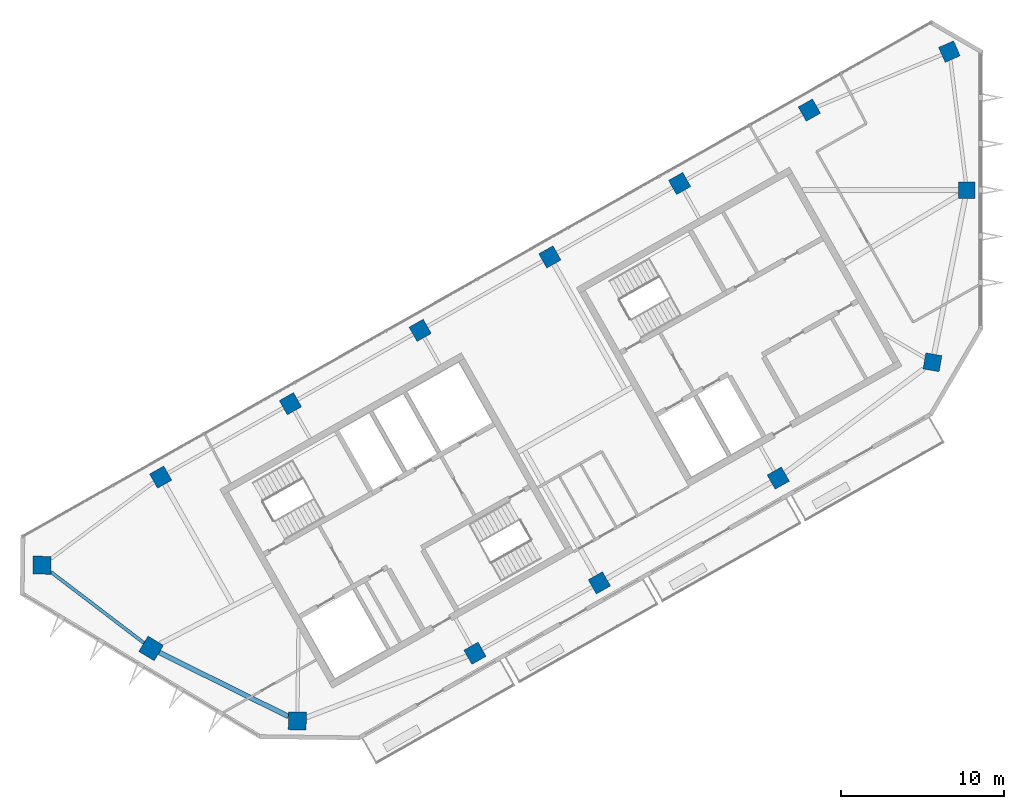
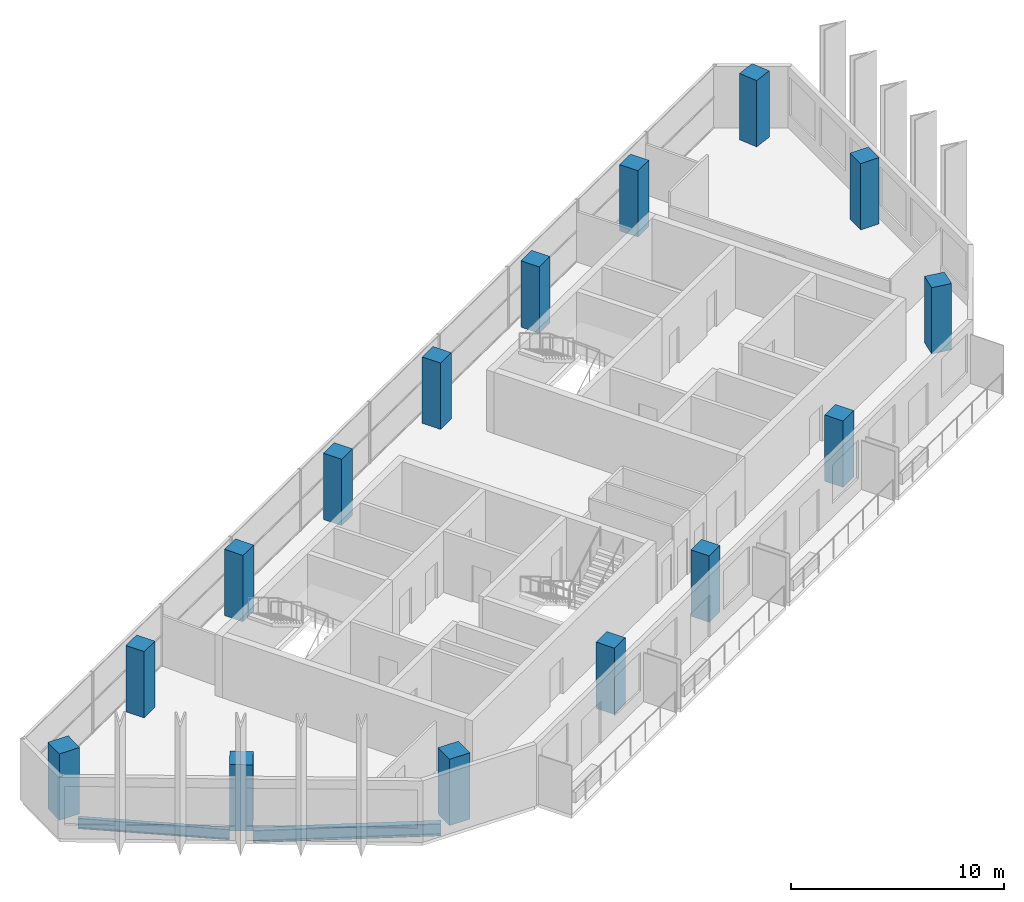
# One storey, part 1 of 10: 15 columns, 2 beams.
"""IFC4 building model written with IfcOpenShell, lengths in metres."""

from ifc_helpers import new_model, si_unit, direction, frame, origin, origin_2d, place, context, subcontext, project, spatial, rectangle, i_section, extrude, material, material_profile, profile_set, type_object, element, save


model = new_model("IFC4")

# Units and contexts
model_context = context("Model", 3, precision=1e-05, world=origin(), true_north=direction((0.0, 1.0)))
body_context = subcontext(model_context, "Body", "Model", "MODEL_VIEW")
ifc_project = project(units=[si_unit("LENGTHUNIT", "METRE"), si_unit("AREAUNIT", "SQUARE_METRE"), si_unit("VOLUMEUNIT", "CUBIC_METRE"), si_unit("PLANEANGLEUNIT", "RADIAN"), si_unit("MASSUNIT", "GRAM", prefix="KILO")], contexts=[model_context])

# Site, building, storey
site_placement = place(None, origin())
site = spatial("IfcSite", under=ifc_project, at=site_placement, CompositionType="ELEMENT")
building_placement = place(site_placement, origin())
building = spatial("IfcBuilding", under=site, at=building_placement, Name="Binnacle Exchange Tower", CompositionType="ELEMENT")
storey_placement = place(building_placement, frame((0.0, 0.0, 324.10009765625)))
storey = spatial("IfcBuildingStorey", under=building, at=storey_placement, Name="L73", CompositionType="ELEMENT", Elevation=324.10009765625)

# Columns
ifc_material_1 = material(Name="Concrete C50/60", Category="concrete")
ifc_material_profile_1 = material_profile(ifc_material_1, rectangle(XDim=1.0, YDim=1.0, at=origin_2d()), Name="Mega column 1000x1000 C50/60")
ifc_profile_set_1 = profile_set([ifc_material_profile_1], Name="Concrete C50/60")
column_type_1 = type_object("IfcColumnType", Name="Mega column 1000x1000 C50/60", PredefinedType="COLUMN", material=ifc_profile_set_1)
for number, where, z_axis, x_axis, name in (
    (1, (-10.4951171875, 64.901611328125, 0.0), (0.0, 0.0, 1.0), (-0.87035569594, -0.492423560103, 0.0), "S:COL:MC38:L73"),
    (2, (-18.44140625, 60.406005859375, 0.0), (0.0, 0.0, 1.0), (-0.87035569594, -0.492423560103, 0.0), "S:COL:MC29:L73"),
    (3, (-26.3876953125, 55.91015625, 0.0), (0.0, 0.0, 1.0), (-0.87035569594, -0.492423560103, 0.0), "S:COL:MC21:L73"),
    (4, (-34.333740234375, 51.414306640625, 0.0), (0.0, 0.0, 1.0), (-0.87035569594, -0.492423560103, 0.0), "S:COL:MC13:L73"),
    (5, (-42.280029296875, 46.918701171875, 0.0), (0.0, 0.0, 1.0), (-0.87035569594, -0.492423560103, 0.0), "S:COL:MC08:L73"),
    (6, (-50.226318359375, 42.4228515625, 0.0), (0.0, 0.0, 1.0), (-0.87035569594, -0.492423560103, 0.0), "S:COL:MC04:L73"),
    (7, (-30.9755859375, 31.63525390625, 0.0), (0.0, 0.0, 1.0), (0.87035569594, 0.492423560103, 0.0), "S:COL:MC07:L73"),
    (8, (-23.35595703125, 35.9462890625, 0.0), (0.0, 0.0, 1.0), (0.87035569594, 0.492423560103, 0.0), "S:COL:MC16:L73"),
    (9, (-2.955322265625, 49.45556640625, 0.0), (0.0, 0.0, 1.0), (-0.98522612636, 0.171258517854, 0.0), "S:COL:MC43:L73"),
    (10, (-0.85009765625, 60.0, 0.0), (0.0, 0.0, 1.0), (0.0, 1.0, 0.0), "S:COL:MC45:L73"),
    (11, (-1.920166015625, 68.4833984375, 0.0), (0.0, 0.0, 1.0), (-0.91471298536, -0.40410413808, 0.0), "S:COL:MC44:L73"),
    (12, (-12.39990234375, 42.36328125, 0.0), (0.0, 0.0, 1.0), (0.87035569594, 0.492423560103, 0.0), "S:COL:MC30:L73"),
):
    element("IfcColumn", number, at=place(storey_placement, frame(where, z_axis=z_axis, x_axis=x_axis)), inside=storey, type_object=column_type_1, Name=name, PredefinedType="COLUMN", context=body_context, shape_type="SweptSolid", body=[
        extrude(rectangle(XDim=1.0, YDim=1.0, at=origin_2d()), origin(), (0.0, 0.0, 1.0), 3.7998046875),
    ])
ifc_material_profile_2 = material_profile(ifc_material_1, rectangle(XDim=1.10009765625, YDim=1.10009765625, at=origin_2d()), Name="Mega column 1100x1100 C50/60")
ifc_profile_set_2 = profile_set([ifc_material_profile_2], Name="Concrete C50/60")
column_type_2 = type_object("IfcColumnType", Name="Mega column 1100x1100 C50/60", PredefinedType="COLUMN", material=ifc_profile_set_2)
for number, where, z_axis, x_axis, name in (
    (13, (-57.492919921875, 37.02734375, 0.0), (0.0, 0.0, 1.0), (-0.013089595571, -0.999914327574, 0.0), "S:COL:MC02:L73"),
    (14, (-50.81201171875, 31.930908203125, 0.0), (0.0, 0.0, 1.0), (0.857167300702, -0.51503807491, 0.0), "S:COL:MC01:L73"),
    (15, (-41.857666015625, 27.494873046875, 0.0), (0.0, 0.0, 1.0), (0.999914327574, -0.013089595571, 0.0), "S:COL:MC03:L73"),
):
    element("IfcColumn", number, at=place(storey_placement, frame(where, z_axis=z_axis, x_axis=x_axis)), inside=storey, type_object=column_type_2, Name=name, PredefinedType="COLUMN", context=body_context, shape_type="SweptSolid", body=[
        extrude(rectangle(XDim=1.10009765625, YDim=1.10009765625, at=origin_2d()), origin(), (0.0, 0.0, 1.0), 3.7998046875),
    ])

# Beams
ifc_material_2 = material(Name="Steel S355 (SHN355)", Category="steel")
ifc_material_profile_3 = material_profile(ifc_material_2, i_section(OverallWidth=0.199951171875, OverallDepth=0.60009765625, WebThickness=0.010986328125, FlangeThickness=0.01708984375, FilletRadius=0.02197265625, at=origin_2d()), Name="H 600x200x11x17")
ifc_profile_set_3 = profile_set([ifc_material_profile_3], Name="Steel S355 (SHN355)")
beam_type_1 = type_object("IfcBeamType", Name="Edge girder H 600x200x11x17 Steel S355 (SHN355)", PredefinedType="SPANDREL", material=ifc_profile_set_3)
beam_1_placement = place(storey_placement, frame((-56.948486328125, 36.612060546875, -0.580078125), z_axis=(0.795078805768, -0.606506135681, 0.0), x_axis=(0.606506135681, 0.795078805768, 0.0)))
element("IfcBeam", 16, at=beam_1_placement, inside=storey, type_object=beam_type_1, Name="S:BM:edge:L73:004", PredefinedType="SPANDREL", context=body_context, shape_type="SweptSolid", body=[
    extrude(i_section(OverallWidth=0.199951171875, OverallDepth=0.60009765625, WebThickness=0.010986328125, FlangeThickness=0.01708984375, FilletRadius=0.02197265625, at=origin_2d()), origin(), (0.0, 0.0, 1.0), 7.164794921875),
])
ifc_material_profile_4 = material_profile(ifc_material_2, i_section(OverallWidth=0.300048828125, OverallDepth=0.699951171875, WebThickness=0.012939453125, FlangeThickness=0.02392578125, FilletRadius=0.028076171875, at=origin_2d()), Name="H 700x300x13x24")
ifc_profile_set_4 = profile_set([ifc_material_profile_4], Name="Steel S355 (SHN355)")
beam_type_2 = type_object("IfcBeamType", Name="Edge girder H 700x300x13x24 Steel S355 (SHN355)", PredefinedType="SPANDREL", material=ifc_profile_set_4)
beam_2_placement = place(storey_placement, frame((-50.3173828125, 31.685791015625, -0.630126953125), z_axis=(0.896057836822, -0.443937330115, 0.0), x_axis=(0.443937330115, 0.896057836822, 0.0)))
element("IfcBeam", 17, at=beam_2_placement, inside=storey, type_object=beam_type_2, Name="S:BM:edge:L73:006", PredefinedType="SPANDREL", context=body_context, shape_type="SweptSolid", body=[
    extrude(i_section(OverallWidth=0.300048828125, OverallDepth=0.699951171875, WebThickness=0.012939453125, FlangeThickness=0.02392578125, FilletRadius=0.028076171875, at=origin_2d()), origin(), (0.0, 0.0, 1.0), 8.8310546875),
])

save(model, "model.ifc")
